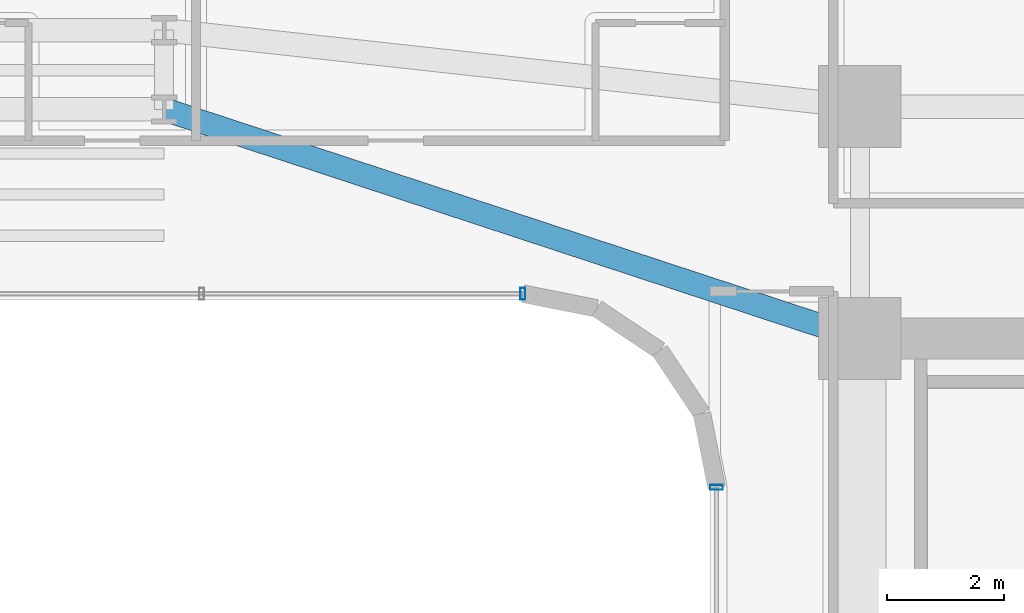
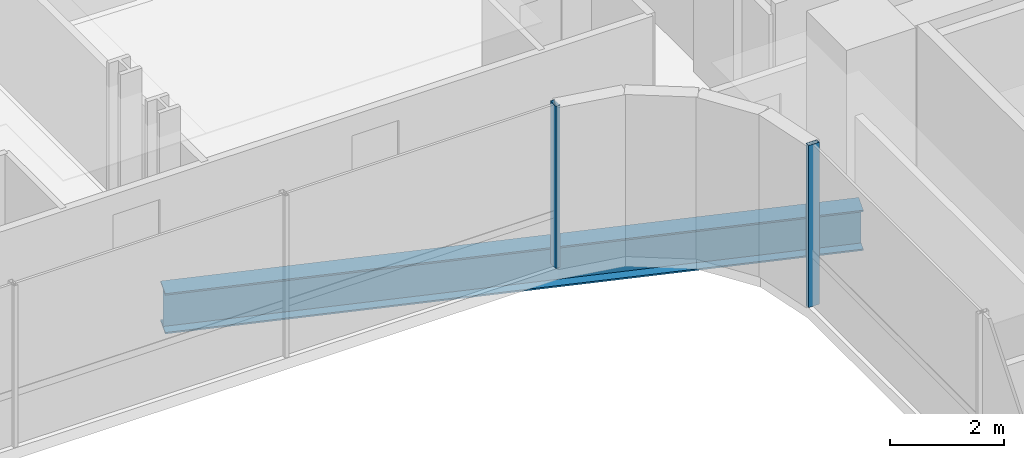
# One storey, part 16 of 42: 2 members, 1 beam, 2 elements without a shape of their own.
"""IFC4 building model written with IfcOpenShell, lengths in metres."""

import ifcopenshell
import ifcopenshell.guid

model = None  # the IFC model being written
_history = None  # IfcOwnerHistory: only IFC2X3 demands one
_inside = {}  # id of a spatial element -> (the spatial element, [elements in it])
_under = {}  # id of a project, library or spatial element -> (it, [spatial elements below it])
_declared = {}  # id of a project -> (the project, [libraries it declares])
_typed = {}  # id of a type object -> (the type object, [elements of that type])
_made_of = {}  # id of a material, layer set ... -> (it, [elements and type objects made of it])


def new_model(schema):
    """Start an empty IFC model of exactly this schema.

    Asked for "IFC4X3", IfcOpenShell would pick the latest addendum, in which some entities
    have other attributes; the version numbers below select the first issue.
    IFC2X3 requires an IfcOwnerHistory on every rooted entity: one is made here for all.
    """
    global model, _history
    if schema == "IFC4X3":
        model = ifcopenshell.file(schema_version=(4, 3, 0, 0))
    else:
        model = ifcopenshell.file(schema=schema)
    _inside.clear()
    _under.clear()
    _declared.clear()
    _typed.clear()
    _made_of.clear()
    _history = None
    if model.schema == "IFC2X3":
        org = make("IfcOrganization", Name="unknown")
        user = make(
            "IfcPersonAndOrganization",
            ThePerson=make("IfcPerson", FamilyName="unknown"),
            TheOrganization=org,
        )
        app = make(
            "IfcApplication",
            ApplicationDeveloper=org,
            Version="unknown",
            ApplicationFullName="unknown",
            ApplicationIdentifier="unknown",
        )
        _history = make(
            "IfcOwnerHistory",
            OwningUser=user,
            OwningApplication=app,
            ChangeAction="ADDED",
            CreationDate=0,
        )
    return model


def make(cls, **values):
    """One entity of the class cls with the attributes given. An attribute that is None is left unset."""
    return model.create_entity(
        cls, **{name: value for name, value in values.items() if value is not None}
    )


def rooted(cls, **values):
    """An entity with a GlobalId (a new one), such as an element, a storey or a relation."""
    return make(cls, GlobalId=ifcopenshell.guid.new(), OwnerHistory=_history, **values)


def si_unit(unit_type, name, prefix=None):
    """IfcSIUnit, for example si_unit("LENGTHUNIT", "METRE", prefix="MILLI")."""
    return make("IfcSIUnit", UnitType=unit_type, Prefix=prefix, Name=name)


def assignment(units):
    """IfcUnitAssignment: the units of a project."""
    return None if units is None else make("IfcUnitAssignment", Units=units)


def point(xyz):
    """IfcCartesianPoint."""
    return None if xyz is None else make("IfcCartesianPoint", Coordinates=xyz)


def direction(xyz):
    """IfcDirection."""
    return None if xyz is None else make("IfcDirection", DirectionRatios=xyz)


def frame(location, z_axis=None, x_axis=None):
    """IfcAxis2Placement3D, a coordinate frame: its origin and axes. An axis left out is left unset."""
    return make(
        "IfcAxis2Placement3D",
        Location=point(location),
        Axis=direction(z_axis),
        RefDirection=direction(x_axis),
    )


def frame_2d(location, x_axis=None):
    """IfcAxis2Placement2D, a coordinate frame in the plane: its origin and x axis."""
    return make(
        "IfcAxis2Placement2D", Location=point(location), RefDirection=direction(x_axis)
    )


def origin():
    """The frame at (0, 0, 0) with its axes left unset."""
    return frame((0.0, 0.0, 0.0))


def origin_2d():
    """The frame at (0, 0) in the plane with its x axis left unset."""
    return frame_2d((0.0, 0.0))


def place(relative_to, where):
    """IfcLocalPlacement: puts the frame where relative to a parent placement (None: the world)."""
    return make(
        "IfcLocalPlacement", PlacementRelTo=relative_to, RelativePlacement=where
    )


def context(
    kind, dimensions, precision=None, world=None, true_north=None, identifier=None
):
    """IfcGeometricRepresentationContext, for example the 3D "Model" context."""
    return make(
        "IfcGeometricRepresentationContext",
        ContextIdentifier=identifier,
        ContextType=kind,
        CoordinateSpaceDimension=dimensions,
        Precision=precision,
        WorldCoordinateSystem=world,
        TrueNorth=true_north,
    )


def subcontext(parent, identifier, kind, view, scale=None):
    """IfcGeometricRepresentationSubContext, for example "Body" below "Model"."""
    return make(
        "IfcGeometricRepresentationSubContext",
        ContextIdentifier=identifier,
        ContextType=kind,
        ParentContext=parent,
        TargetScale=scale,
        TargetView=view,
    )


def project(units=None, contexts=None):
    """IfcProject with its units and contexts."""
    return rooted(
        "IfcProject",
        Name="project",
        RepresentationContexts=contexts,
        UnitsInContext=assignment(units),
    )


def spatial(cls, under=None, at=None, **own):
    """A site, building, storey or space (cls), placed at a placement, below another one or the project."""
    s = rooted(cls, ObjectPlacement=at, **own)
    if under is not None:
        _under.setdefault(under.id(), (under, []))[1].append(s)
    return s


def profile(cls, at=None, kind="AREA", **sizes):
    """A parametric profile (cls). Its sizes go by their IFC names, for example OverallWidth=200.0."""
    return make(cls, ProfileType=kind, Position=at, **sizes)


def hollow_rectangle(**sizes):
    """IfcRectangleHollowProfileDef."""
    return profile("IfcRectangleHollowProfileDef", **sizes)


def i_section(**sizes):
    """IfcIShapeProfileDef."""
    return profile("IfcIShapeProfileDef", **sizes)


def extrude(swept, where, along, depth):
    """IfcExtrudedAreaSolid: the profile swept, set in the frame where, extruded along a direction by depth."""
    return make(
        "IfcExtrudedAreaSolid",
        SweptArea=swept,
        Position=where,
        ExtrudedDirection=direction(along),
        Depth=depth,
    )


def shape(context_of_items, identifier, shape_type, items):
    """IfcShapeRepresentation: the items that make up one representation, for example the "Body"."""
    return make(
        "IfcShapeRepresentation",
        ContextOfItems=context_of_items,
        RepresentationIdentifier=identifier,
        RepresentationType=shape_type,
        Items=items,
    )


def source(mapping_origin, context_of_items, identifier, shape_type, items):
    """IfcRepresentationMap: a shape defined once, which mapped items show again and again."""
    return make(
        "IfcRepresentationMap",
        MappingOrigin=mapping_origin,
        MappedRepresentation=shape(context_of_items, identifier, shape_type, items),
    )


def transform(
    local_origin,
    x_axis=None,
    y_axis=None,
    z_axis=None,
    scale=None,
    scale2=None,
    scale3=None,
    uniform=True,
):
    """IfcCartesianTransformationOperator3D, or its non-uniform kind. x_axis, y_axis, z_axis: its Axis1, 2, 3."""
    if uniform:
        return make(
            "IfcCartesianTransformationOperator3D",
            Axis1=direction(x_axis),
            Axis2=direction(y_axis),
            LocalOrigin=point(local_origin),
            Scale=scale,
            Axis3=direction(z_axis),
        )
    return make(
        "IfcCartesianTransformationOperator3DnonUniform",
        Axis1=direction(x_axis),
        Axis2=direction(y_axis),
        LocalOrigin=point(local_origin),
        Scale=scale,
        Axis3=direction(z_axis),
        Scale2=scale2,
        Scale3=scale3,
    )


def mapped(mapping_source, mapping_target):
    """IfcMappedItem: shows the shape of a source again, moved by a transform."""
    return make(
        "IfcMappedItem", MappingSource=mapping_source, MappingTarget=mapping_target
    )


def material(Name=None, Category=None):
    """IfcMaterial."""
    return make("IfcMaterial", Name=Name, Category=Category)


def material_profile(
    of_material, cross_section, Name=None, Category=None, Priority=None
):
    """IfcMaterialProfile: a cross section and its material."""
    return make(
        "IfcMaterialProfile",
        Name=Name,
        Material=of_material,
        Profile=cross_section,
        Priority=Priority,
        Category=Category,
    )


def profile_set(profiles, Name=None, composite=None):
    """IfcMaterialProfileSet."""
    return make(
        "IfcMaterialProfileSet",
        Name=Name,
        MaterialProfiles=profiles,
        CompositeProfile=composite,
    )


def made_of(thing, what):
    """Note that an element or type object is made of a material, layer set ...; save() writes the relation."""
    if what is not None:
        _made_of.setdefault(what.id(), (what, []))[1].append(thing)
    return thing


def type_object(cls, material=None, **own):
    """A type object (cls), such as IfcWallType, which elements share."""
    return made_of(rooted(cls, **own), material)


def element(
    cls,
    number,
    at=None,
    inside=None,
    cuts=None,
    type_object=None,
    material=None,
    context=None,
    identifier="Body",
    shape_type=None,
    held_by="IfcProductDefinitionShape",
    body=None,
    shapes=None,
    **own,
):
    """One element of the class cls, such as IfcWall. Its Tag is "e" and its number.

    at: its placement. inside: the storey or other place that contains it. cuts: it is an
    opening in that element (IfcRelVoidsElement). A single representation is given by context,
    identifier, shape_type and body (its items); several are given by shapes. held_by: the class
    of the entity that holds the representations. save() writes the other relations.
    """
    e = rooted(cls, Tag="e%d" % number, ObjectPlacement=at, **own)
    if body is not None:
        shapes = [shape(context, identifier, shape_type, body)]
    if shapes is not None:
        e.Representation = make(held_by, Representations=shapes)
    if inside is not None:
        _inside.setdefault(inside.id(), (inside, []))[1].append(e)
    if cuts is not None:
        rooted(
            "IfcRelVoidsElement", RelatingBuildingElement=cuts, RelatedOpeningElement=e
        )
    if type_object is not None:
        _typed.setdefault(type_object.id(), (type_object, []))[1].append(e)
    return made_of(e, material)


def aggregate(whole, parts):
    """IfcRelAggregates: a whole, such as a stair, and the parts it consists of."""
    return rooted("IfcRelAggregates", RelatingObject=whole, RelatedObjects=parts)


def save(model, path):
    """Write the relations noted so far, then the file.

    IfcRelAggregates (storeys below a building ...), IfcRelContainedInSpatialStructure (elements
    in a storey), IfcRelDefinesByType, IfcRelAssociatesMaterial and IfcRelDeclares: one each for
    every whole, place, type object, material and project.
    """
    for whole, parts in _under.values():
        aggregate(whole, parts)
    for where, things in _inside.values():
        rooted(
            "IfcRelContainedInSpatialStructure",
            RelatedElements=things,
            RelatingStructure=where,
        )
    for kind, things in _typed.values():
        rooted("IfcRelDefinesByType", RelatedObjects=things, RelatingType=kind)
    for what, things in _made_of.values():
        rooted("IfcRelAssociatesMaterial", RelatedObjects=things, RelatingMaterial=what)
    for by, libraries in _declared.values():
        rooted("IfcRelDeclares", RelatingContext=by, RelatedDefinitions=libraries)
    model.write(path)


model = new_model("IFC4")

# Units and contexts
model_context = context("Model", 3, precision=1e-05, world=origin(), true_north=direction((0.0, 1.0)))
body_context = subcontext(model_context, "Body", "Model", "MODEL_VIEW")
ifc_project = project(units=[si_unit("LENGTHUNIT", "METRE"), si_unit("AREAUNIT", "SQUARE_METRE"), si_unit("VOLUMEUNIT", "CUBIC_METRE"), si_unit("PLANEANGLEUNIT", "RADIAN"), si_unit("MASSUNIT", "GRAM", prefix="KILO")], contexts=[model_context])

# Site, building, storey
site_placement = place(None, origin())
site = spatial("IfcSite", under=ifc_project, at=site_placement, CompositionType="ELEMENT")
building_placement = place(site_placement, origin())
building = spatial("IfcBuilding", under=site, at=building_placement, Name="Valdorenza Pilgrim Sanctuary Tower", CompositionType="ELEMENT")
storey_placement = place(building_placement, frame((0.0, 0.0, 29.699951171875)))
storey = spatial("IfcBuildingStorey", under=building, at=storey_placement, Name="L06", CompositionType="ELEMENT", Elevation=29.699951171875)

# Beam
ifc_material_1 = material(Name="Steel ASTM A992 Grade 50", Category="steel")
ifc_material_profile_1 = material_profile(ifc_material_1, i_section(OverallWidth=0.39990234375, OverallDepth=0.862060546875, WebThickness=0.019775390625, FlangeThickness=0.032470703125, at=origin_2d()), Name="W33X221")
ifc_profile_set_1 = profile_set([ifc_material_profile_1], Name="Steel ASTM A992 Grade 50")
beam_type = type_object("IfcBeamType", Name="STR-BM-GRD-W33", PredefinedType="BEAM", material=ifc_profile_set_1)
shared_shape_1 = source(origin(), body_context, "Body", "SweptSolid", [
    extrude(i_section(OverallWidth=0.39990234375, OverallDepth=0.862060546875, WebThickness=0.019775390625, FlangeThickness=0.032470703125, at=origin_2d()), origin(), (0.0, 0.0, 1.0), 12.475341796875),
])
beam_placement = place(storey_placement, frame((4.0, 13.449951171875, -0.6708984375), z_axis=(0.949881908141, -0.312608957943, 0.0), x_axis=(0.312608957943, 0.949881908141, 0.0)))
element("IfcBeam", 1, at=beam_placement, inside=storey, type_object=beam_type, Name="L06 Floor Girder KNK-G3", PredefinedType="BEAM", context=body_context, shape_type="MappedRepresentation", body=[
    mapped(shared_shape_1, transform((0.0, 0.0, 0.0), x_axis=(1.0, 0.0, 0.0), y_axis=(0.0, 1.0, 0.0), z_axis=(0.0, 0.0, 1.0), scale=1.0)),
])

# Curtain wall, member
ifc_material_2 = material(Name="Curtain-wall IGU glazing", Category="glass")
curtain_wall_type_1 = type_object("IfcCurtainWallType", Name="CW-SYS-02", PredefinedType="NOTDEFINED", material=ifc_material_2)
curtain_wall_1_placement = place(storey_placement, origin())
curtain_wall_1 = element("IfcCurtainWall", 2, at=curtain_wall_1_placement, inside=storey, type_object=curtain_wall_type_1, Name="L06 Curtain Wall CW-L06-1-36", PredefinedType="NOTDEFINED")
ifc_material_3 = material(Name="Anodised aluminium AW-6060", Category="aluminium")
ifc_material_profile_2 = material_profile(ifc_material_3, hollow_rectangle(XDim=0.0849609375, YDim=0.199951171875, WallThickness=0.0048828125, at=origin_2d()), Name="ALU-M 200x85x5")
ifc_profile_set_2 = profile_set([ifc_material_profile_2], Name="Anodised aluminium AW-6060")
member_type_1 = type_object("IfcMemberType", Name="CW-MUL-02", PredefinedType="MULLION", material=ifc_profile_set_2)
shared_shape_2 = source(origin(), body_context, "Body", "SweptSolid", [
    extrude(hollow_rectangle(XDim=0.0849609375, YDim=0.199951171875, WallThickness=0.0048828125, at=origin_2d()), origin(), (0.0, 0.0, 1.0), 3.4599609375),
])
member_1_placement = place(storey_placement, frame((10.11083984375, 10.31005859375, 0.0), z_axis=(0.0, 0.0, 1.0), x_axis=(-1.0, 0.0, 0.0)))
member_1 = element("IfcMember", 3, at=member_1_placement, type_object=member_type_1, Name="CW-L06-1-36 Mullion 1", PredefinedType="MULLION", context=body_context, shape_type="MappedRepresentation", body=[
    mapped(shared_shape_2, transform((0.0, 0.0, 0.0), x_axis=(1.0, 0.0, 0.0), y_axis=(0.0, 1.0, 0.0), z_axis=(0.0, 0.0, 1.0), scale=1.0)),
])
aggregate(curtain_wall_1, [member_1])

curtain_wall_type_2 = type_object("IfcCurtainWallType", Name="CW-SYS-03", PredefinedType="NOTDEFINED", material=ifc_material_2)
curtain_wall_2_placement = place(storey_placement, origin())
curtain_wall_2 = element("IfcCurtainWall", 4, at=curtain_wall_2_placement, inside=storey, type_object=curtain_wall_type_2, Name="L06 Curtain Wall CW-L06-1-31", PredefinedType="NOTDEFINED")
ifc_material_profile_3 = material_profile(ifc_material_3, hollow_rectangle(XDim=0.0849609375, YDim=0.219970703125, WallThickness=0.0048828125, at=origin_2d()), Name="ALU-M 220x85x5")
ifc_profile_set_3 = profile_set([ifc_material_profile_3], Name="Anodised aluminium AW-6060")
member_type_2 = type_object("IfcMemberType", Name="CW-MUL-03", PredefinedType="MULLION", material=ifc_profile_set_3)
shared_shape_3 = source(origin(), body_context, "Body", "SweptSolid", [
    extrude(hollow_rectangle(XDim=0.0849609375, YDim=0.219970703125, WallThickness=0.0048828125, at=origin_2d()), origin(), (0.0, 0.0, 1.0), 3.4599609375),
])
member_2_placement = place(storey_placement, frame((13.409912109375, 7.0107421875, 0.0), z_axis=(0.0, 0.0, 1.0), x_axis=(0.0, 1.0, 0.0)))
member_2 = element("IfcMember", 5, at=member_2_placement, type_object=member_type_2, Name="CW-L06-1-31 Mullion 4", PredefinedType="MULLION", context=body_context, shape_type="MappedRepresentation", body=[
    mapped(shared_shape_3, transform((0.0, 0.0, 0.0), x_axis=(1.0, 0.0, 0.0), y_axis=(0.0, 1.0, 0.0), z_axis=(0.0, 0.0, 1.0), scale=1.0)),
])
aggregate(curtain_wall_2, [member_2])

save(model, "model.ifc")
